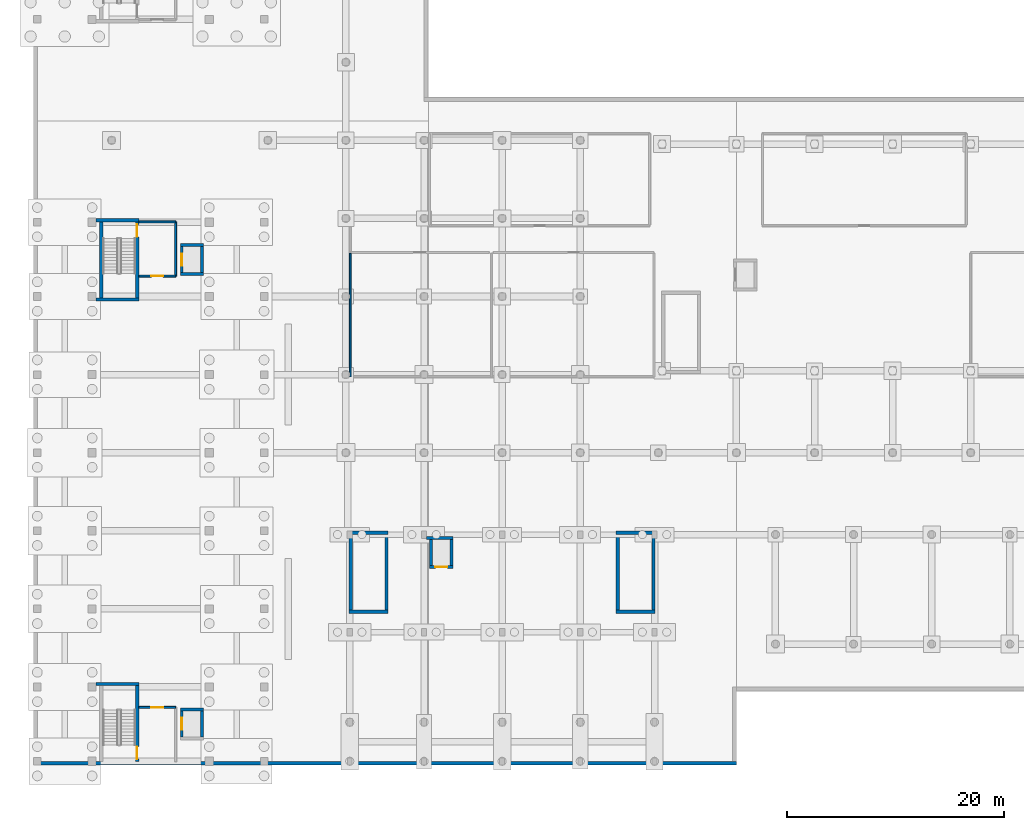
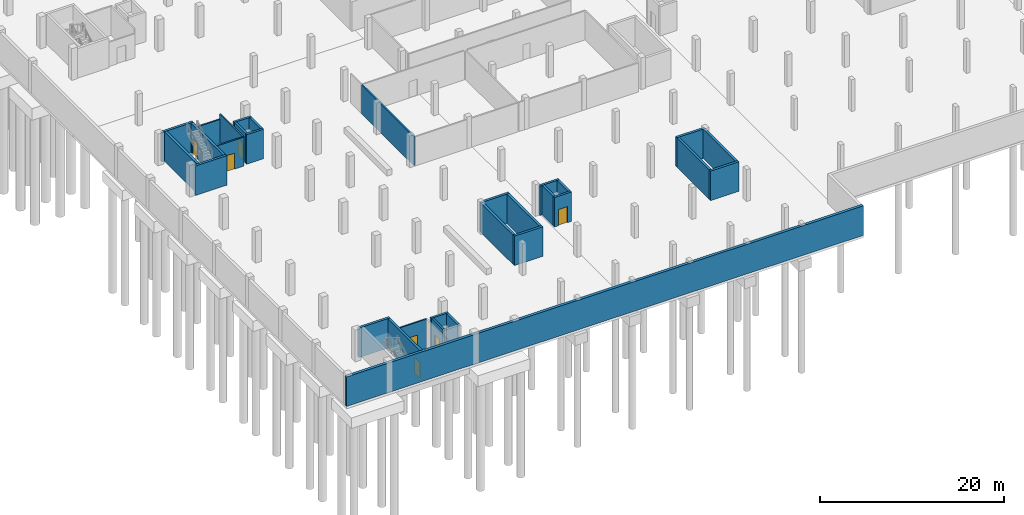
# One storey, part 17 of 36: 31 walls, 7 doors, 7 openings.
"""IFC4 building model written with IfcOpenShell, lengths in metres."""

from ifc_helpers import new_model, si_unit, derived_unit, direction, frame, frame_2d, origin, place, context, subcontext, project, spatial, rectangle, extrude, material, layer, layer_set, type_object, element, fill, save


model = new_model("IFC4")

# Units and contexts
model_context = context("Model", 3, precision=1e-05, world=origin(), true_north=direction((0.0, 1.0)))
body_context = subcontext(model_context, "Body", "Model", "MODEL_VIEW")
ifc_project = project(units=[si_unit("LENGTHUNIT", "METRE"), si_unit("AREAUNIT", "SQUARE_METRE"), si_unit("VOLUMEUNIT", "CUBIC_METRE"), si_unit("PLANEANGLEUNIT", "RADIAN"), si_unit("MASSUNIT", "GRAM", prefix="KILO"), derived_unit("THERMALTRANSMITTANCEUNIT", [(si_unit("MASSUNIT", "GRAM", prefix="KILO"), 1), (si_unit("TIMEUNIT", "SECOND"), -3), (si_unit("THERMODYNAMICTEMPERATUREUNIT", "KELVIN"), -1)])], contexts=[model_context])

# Site, building, storey
site_placement = place(None, origin())
site = spatial("IfcSite", under=ifc_project, at=site_placement, CompositionType="ELEMENT")
building_placement = place(site_placement, origin())
building = spatial("IfcBuilding", under=site, at=building_placement, Name="Ochrekiln Boulevard Commons", CompositionType="ELEMENT")
storey_placement = place(building_placement, frame((0.0, 0.0, -4.199951171875)))
storey = spatial("IfcBuildingStorey", under=building, at=storey_placement, Name="B1", CompositionType="ELEMENT", Elevation=-4.199951171875)

# Wall
ifc_material_1 = material(Name="Concrete C35/45", Category="concrete")
ifc_layer_1 = layer(ifc_material_1, 0.35009765625)
ifc_layer_set_1 = layer_set([ifc_layer_1], Name="Concrete C35/45")
wall_type_1 = type_object("IfcWallType", Name="WL-B1-RET-350", PredefinedType="SOLIDWALL", material=ifc_layer_set_1)
wall_1_placement = place(storey_placement, frame((0.0, 0.175048828125, 0.0), z_axis=(0.0, 0.0, 1.0), x_axis=(1.0, 0.0, 0.0)))
element("IfcWall", 1, at=wall_1_placement, inside=storey, type_object=wall_type_1, Name="B1 Perimeter Retaining Wall B1-SW", PredefinedType="SOLIDWALL", context=body_context, shape_type="SweptSolid", body=[
    extrude(rectangle(XDim=64.800048828125, YDim=0.35009765625, at=frame_2d((32.39990234375, 0.0))), origin(), (0.0, 0.0, 1.0), 3.919921875),
])

# Wall, opening, door
ifc_material_2 = material(Name="Fire-rated Type X gypsum board on steel studs", Category="steel")
ifc_layer_2 = layer(ifc_material_2, 0.169921875)
ifc_layer_set_2 = layer_set([ifc_layer_2], Name="Fire-rated Type X gypsum board on steel studs")
wall_type_2 = type_object("IfcWallType", Name="WL-PT-CIV-170", PredefinedType="PARTITIONING", material=ifc_layer_set_2)
wall_2_placement = place(storey_placement, frame((9.699951171875, 5.320068359375, 0.0), z_axis=(0.0, 0.0, 1.0), x_axis=(1.0, 0.0, 0.0)))
wall_2 = element("IfcWall", 2, at=wall_2_placement, inside=storey, type_object=wall_type_2, Name="B1 Interior Wall W-PV170", PredefinedType="PARTITIONING", context=body_context, shape_type="SweptSolid", body=[
    extrude(rectangle(XDim=3.400146484375, YDim=0.169921875, at=frame_2d((1.7001953125, 0.0))), origin(), (0.0, 0.0, 1.0), 3.83984375),
])
opening_1_placement = place(wall_2_placement, frame((1.14990234375, 0.0, 0.0)))
opening_1 = element("IfcOpeningElement", 3, at=opening_1_placement, cuts=wall_2, Name="Opening D-B1-1388", PredefinedType="OPENING", context=body_context, shape_type="SweptSolid", body=[
    extrude(rectangle(XDim=1.10009765625, YDim=2.1201171875, at=frame_2d((0.550048828125, 1.06005859375))), frame((0.0, 0.094970703125, 0.0), z_axis=(0.0, -1.0, 0.0), x_axis=(1.0, 0.0, 0.0)), (0.0, 0.0, 1.0), 0.18994140625),
])
ifc_material_3 = material(Name="Hollow metal fire-rated steel door assembly", Category="steel")
door_type_1 = type_object("IfcDoorType", Name="DR-LOBBY-60", OperationType="NOTDEFINED", PredefinedType="DOOR", material=ifc_material_3)
door_1_placement = place(opening_1_placement, frame((1.10009765625, 0.0, 0.0), z_axis=(0.0, 0.0, 1.0), x_axis=(-1.0, 0.0, 0.0)))
door_1 = element("IfcDoor", 4, at=door_1_placement, inside=storey, type_object=door_type_1, Name="B1 Interior Door to Basement Elevator Lobby", OperationType="SINGLE_SWING_RIGHT", OverallHeight=2.1201171875, OverallWidth=1.10009765625, PredefinedType="DOOR", context=body_context, shape_type="SweptSolid", body=[
    extrude(rectangle(XDim=1.10009765625, YDim=2.1201171875, at=frame_2d((0.550048828125, 1.06005859375))), frame((0.0, 0.02490234375, 0.0), z_axis=(0.0, -1.0, 0.0), x_axis=(1.0, 0.0, 0.0)), (0.0, 0.0, 1.0), 0.050048828125),
])
fill(opening_1, door_1)

wall_3_placement = place(storey_placement, frame((9.699951171875, 45.080078125, 0.0), z_axis=(0.0, 0.0, 1.0), x_axis=(1.0, 0.0, 0.0)))
wall_3 = element("IfcWall", 5, at=wall_3_placement, inside=storey, type_object=wall_type_2, Name="B1 Interior Wall W-PV170", PredefinedType="PARTITIONING", context=body_context, shape_type="SweptSolid", body=[
    extrude(rectangle(XDim=3.400146484375, YDim=0.169921875, at=frame_2d((1.7001953125, 0.0))), origin(), (0.0, 0.0, 1.0), 3.83984375),
])
opening_2_placement = place(wall_3_placement, frame((1.14990234375, 0.0, 0.0)))
opening_2 = element("IfcOpeningElement", 6, at=opening_2_placement, cuts=wall_3, Name="Opening D-B1-1389", PredefinedType="OPENING", context=body_context, shape_type="SweptSolid", body=[
    extrude(rectangle(XDim=1.10009765625, YDim=2.1201171875, at=frame_2d((0.550048828125, 1.06005859375))), frame((0.0, 0.094970703125, 0.0), z_axis=(0.0, -1.0, 0.0), x_axis=(1.0, 0.0, 0.0)), (0.0, 0.0, 1.0), 0.18994140625),
])
door_2_placement = place(opening_2_placement, origin())
door_2 = element("IfcDoor", 7, at=door_2_placement, inside=storey, type_object=door_type_1, Name="B1 Interior Door to Basement Elevator Lobby", OperationType="SINGLE_SWING_LEFT", OverallHeight=2.1201171875, OverallWidth=1.10009765625, PredefinedType="DOOR", context=body_context, shape_type="SweptSolid", body=[
    extrude(rectangle(XDim=1.10009765625, YDim=2.1201171875, at=frame_2d((0.550048828125, 1.06005859375))), frame((0.0, 0.02490234375, 0.0), z_axis=(0.0, -1.0, 0.0), x_axis=(1.0, 0.0, 0.0)), (0.0, 0.0, 1.0), 0.050048828125),
])
fill(opening_2, door_2)

# Walls
wall_4_placement = place(storey_placement, frame((9.699951171875, 50.080078125, 0.0), z_axis=(0.0, 0.0, 1.0), x_axis=(1.0, 0.0, 0.0)))
element("IfcWall", 8, at=wall_4_placement, inside=storey, type_object=wall_type_2, Name="B1 Interior Wall W-PV170", PredefinedType="PARTITIONING", context=body_context, shape_type="SweptSolid", body=[
    extrude(rectangle(XDim=3.400146484375, YDim=0.169921875, at=frame_2d((1.7001953125, 0.0))), origin(), (0.0, 0.0, 1.0), 3.18994140625),
])
wall_5_placement = place(storey_placement, frame((13.10009765625, 45.080078125, 0.0), z_axis=(0.0, 0.0, 1.0), x_axis=(0.0, 1.0, 0.0)))
element("IfcWall", 9, at=wall_5_placement, inside=storey, type_object=wall_type_2, Name="B1 Interior Wall W-PV170", PredefinedType="PARTITIONING", context=body_context, shape_type="SweptSolid", body=[
    extrude(rectangle(XDim=5.0, YDim=0.169921875, at=frame_2d((2.5, 0.0))), origin(), (0.0, 0.0, 1.0), 3.83984375),
])
wall_6_placement = place(storey_placement, frame((29.199951171875, 35.800048828125, 0.0), z_axis=(0.0, 0.0, 1.0), x_axis=(0.0, 1.0, 0.0)))
element("IfcWall", 10, at=wall_6_placement, inside=storey, type_object=wall_type_2, Name="B1 Interior Wall W-PV170", PredefinedType="PARTITIONING", context=body_context, shape_type="SweptSolid", body=[
    extrude(rectangle(XDim=11.366943359375, YDim=0.169921875, at=frame_2d((5.68359375, 0.0))), origin(), (0.0, 0.0, 1.0), 3.83984375),
])
ifc_material_4 = material(Name="Concrete C40/50", Category="concrete")
ifc_layer_3 = layer(ifc_material_4, 0.27490234375)
ifc_layer_set_3 = layer_set([ifc_layer_3], Name="Concrete C40/50")
wall_type_3 = type_object("IfcWallType", Name="WL-SH-275", PredefinedType="SHEAR", material=ifc_layer_set_3)
wall_7_placement = place(storey_placement, frame((13.52490234375, 5.137451171875, 0.0), z_axis=(0.0, 0.0, 1.0), x_axis=(1.0, 0.0, 0.0)))
element("IfcWall", 11, at=wall_7_placement, inside=storey, type_object=wall_type_3, Name="Elevator LP-D1 B1 Hoistway Shear Wall", PredefinedType="SHEAR", context=body_context, shape_type="SweptSolid", body=[
    extrude(rectangle(XDim=2.150146484375, YDim=0.27490234375, at=frame_2d((1.0751953125, 0.0))), origin(), (0.0, 0.0, 1.0), 3.919921875),
])

# Wall, opening, door
wall_8_placement = place(storey_placement, frame((13.66259765625, 2.60009765625, 0.0), z_axis=(0.0, 0.0, 1.0), x_axis=(0.0, 1.0, 0.0)))
wall_8 = element("IfcWall", 12, at=wall_8_placement, inside=storey, type_object=wall_type_3, Name="Elevator LP-D1 B1 Hoistway Shear Wall", PredefinedType="SHEAR", context=body_context, shape_type="SweptSolid", body=[
    extrude(rectangle(XDim=2.39990234375, YDim=0.27490234375, at=frame_2d((1.199951171875, 0.0))), origin(), (0.0, 0.0, 1.0), 3.919921875),
])
opening_3_placement = place(wall_8_placement, frame((0.64990234375, 0.0, 0.0)))
opening_3 = element("IfcOpeningElement", 13, at=opening_3_placement, cuts=wall_8, Name="Opening LD-LP-D1-B1", PredefinedType="OPENING", context=body_context, shape_type="SweptSolid", body=[
    extrude(rectangle(XDim=1.10009765625, YDim=2.14990234375, at=frame_2d((0.550048828125, 1.074951171875))), frame((0.0, 0.1474609375, 0.0), z_axis=(0.0, -1.0, 0.0), x_axis=(1.0, 0.0, 0.0)), (0.0, 0.0, 1.0), 0.294921875),
])
ifc_material_5 = material(Name="Brushed stainless steel 316 elevator cab and doors", Category="steel")
door_type_2 = type_object("IfcDoorType", Name="DR-LIFT-LD90", OperationType="SLIDING_TO_LEFT", PredefinedType="DOOR", material=ifc_material_5)
door_3_placement = place(opening_3_placement, origin())
door_3 = element("IfcDoor", 14, at=door_3_placement, inside=storey, type_object=door_type_2, Name="Elevator LP-D1 B1 Sliding Landing Door LD-LP-D1-B1", OperationType="SLIDING_TO_LEFT", OverallHeight=2.14990234375, OverallWidth=1.10009765625, PredefinedType="DOOR", context=body_context, shape_type="SweptSolid", body=[
    extrude(rectangle(XDim=1.10009765625, YDim=2.14990234375, at=frame_2d((0.550048828125, 1.074951171875))), frame((0.0, 0.02490234375, 0.0), z_axis=(0.0, -1.0, 0.0), x_axis=(1.0, 0.0, 0.0)), (0.0, 0.0, 1.0), 0.050048828125),
])
fill(opening_3, door_3)

# Walls
wall_9_placement = place(storey_placement, frame((15.53759765625, 2.60009765625, 0.0), z_axis=(0.0, 0.0, 1.0), x_axis=(0.0, 1.0, 0.0)))
element("IfcWall", 15, at=wall_9_placement, inside=storey, type_object=wall_type_3, Name="Elevator LP-D1 B1 Hoistway Shear Wall", PredefinedType="SHEAR", context=body_context, shape_type="SweptSolid", body=[
    extrude(rectangle(XDim=2.39990234375, YDim=0.27490234375, at=frame_2d((1.199951171875, 0.0))), origin(), (0.0, 0.0, 1.0), 3.919921875),
])
for number, where, z_axis, x_axis, name in (
    (16, (13.52490234375, 45.262451171875, 0.0), (0.0, 0.0, 1.0), (1.0, 0.0, 0.0), "Elevator LP-D2 B1 Hoistway Shear Wall"),
    (17, (13.52490234375, 47.9375, 0.0), (0.0, 0.0, 1.0), (1.0, 0.0, 0.0), "Elevator LP-D2 B1 Hoistway Shear Wall"),
):
    element("IfcWall", number, at=place(storey_placement, frame(where, z_axis=z_axis, x_axis=x_axis)), inside=storey, type_object=wall_type_3, Name=name, PredefinedType="SHEAR", context=body_context, shape_type="SweptSolid", body=[
        extrude(rectangle(XDim=2.150146484375, YDim=0.27490234375, at=frame_2d((1.0751953125, 0.0))), origin(), (0.0, 0.0, 1.0), 3.919921875),
    ])

# Wall, opening, door
wall_10_placement = place(storey_placement, frame((13.66259765625, 45.39990234375, 0.0), z_axis=(0.0, 0.0, 1.0), x_axis=(0.0, 1.0, 0.0)))
wall_10 = element("IfcWall", 18, at=wall_10_placement, inside=storey, type_object=wall_type_3, Name="Elevator LP-D2 B1 Hoistway Shear Wall", PredefinedType="SHEAR", context=body_context, shape_type="SweptSolid", body=[
    extrude(rectangle(XDim=2.400146484375, YDim=0.27490234375, at=frame_2d((1.2001953125, 0.0))), origin(), (0.0, 0.0, 1.0), 3.919921875),
])
opening_4_placement = place(wall_10_placement, frame((0.64990234375, 0.0, 0.0)))
opening_4 = element("IfcOpeningElement", 19, at=opening_4_placement, cuts=wall_10, Name="Opening LD-LP-D2-B1", PredefinedType="OPENING", context=body_context, shape_type="SweptSolid", body=[
    extrude(rectangle(XDim=1.10009765625, YDim=2.14990234375, at=frame_2d((0.550048828125, 1.074951171875))), frame((0.0, 0.1474609375, 0.0), z_axis=(0.0, -1.0, 0.0), x_axis=(1.0, 0.0, 0.0)), (0.0, 0.0, 1.0), 0.294921875),
])
door_4_placement = place(opening_4_placement, origin())
door_4 = element("IfcDoor", 20, at=door_4_placement, inside=storey, type_object=door_type_2, Name="Elevator LP-D2 B1 Sliding Landing Door LD-LP-D2-B1", OperationType="SLIDING_TO_LEFT", OverallHeight=2.14990234375, OverallWidth=1.10009765625, PredefinedType="DOOR", context=body_context, shape_type="SweptSolid", body=[
    extrude(rectangle(XDim=1.10009765625, YDim=2.14990234375, at=frame_2d((0.550048828125, 1.074951171875))), frame((0.0, 0.02490234375, 0.0), z_axis=(0.0, -1.0, 0.0), x_axis=(1.0, 0.0, 0.0)), (0.0, 0.0, 1.0), 0.050048828125),
])
fill(opening_4, door_4)

# Wall
wall_11_placement = place(storey_placement, frame((15.53759765625, 45.39990234375, 0.0), z_axis=(0.0, 0.0, 1.0), x_axis=(0.0, 1.0, 0.0)))
element("IfcWall", 21, at=wall_11_placement, inside=storey, type_object=wall_type_3, Name="Elevator LP-D2 B1 Hoistway Shear Wall", PredefinedType="SHEAR", context=body_context, shape_type="SweptSolid", body=[
    extrude(rectangle(XDim=2.400146484375, YDim=0.27490234375, at=frame_2d((1.2001953125, 0.0))), origin(), (0.0, 0.0, 1.0), 3.919921875),
])

# Wall, opening, door
wall_12_placement = place(storey_placement, frame((36.52490234375, 18.262451171875, 0.0), z_axis=(0.0, 0.0, 1.0), x_axis=(1.0, 0.0, 0.0)))
wall_12 = element("IfcWall", 22, at=wall_12_placement, inside=storey, type_object=wall_type_3, Name="Elevator LP-S1 B1 Hoistway Shear Wall", PredefinedType="SHEAR", context=body_context, shape_type="SweptSolid", body=[
    extrude(rectangle(XDim=2.150146484375, YDim=0.27490234375, at=frame_2d((1.0751953125, 0.0))), origin(), (0.0, 0.0, 1.0), 3.909912109375),
])
opening_5_placement = place(wall_12_placement, frame((0.52490234375, 0.0, 0.0)))
opening_5 = element("IfcOpeningElement", 23, at=opening_5_placement, cuts=wall_12, Name="Opening LD-LP-S1-B1", PredefinedType="OPENING", context=body_context, shape_type="SweptSolid", body=[
    extrude(rectangle(XDim=1.10009765625, YDim=2.14990234375, at=frame_2d((0.550048828125, 1.074951171875))), frame((0.0, 0.1474609375, 0.0), z_axis=(0.0, -1.0, 0.0), x_axis=(1.0, 0.0, 0.0)), (0.0, 0.0, 1.0), 0.294921875),
])
door_5_placement = place(opening_5_placement, origin())
door_5 = element("IfcDoor", 24, at=door_5_placement, inside=storey, type_object=door_type_2, Name="Elevator LP-S1 B1 Sliding Landing Door LD-LP-S1-B1", OperationType="SLIDING_TO_LEFT", OverallHeight=2.14990234375, OverallWidth=1.10009765625, PredefinedType="DOOR", context=body_context, shape_type="SweptSolid", body=[
    extrude(rectangle(XDim=1.10009765625, YDim=2.14990234375, at=frame_2d((0.550048828125, 1.074951171875))), frame((0.0, 0.02490234375, 0.0), z_axis=(0.0, -1.0, 0.0), x_axis=(1.0, 0.0, 0.0)), (0.0, 0.0, 1.0), 0.050048828125),
])
fill(opening_5, door_5)

# Walls
wall_13_placement = place(storey_placement, frame((36.25, 20.9375, 0.0), z_axis=(0.0, 0.0, 1.0), x_axis=(1.0, 0.0, 0.0)))
element("IfcWall", 25, at=wall_13_placement, inside=storey, type_object=wall_type_3, Name="Elevator LP-S1 B1 Hoistway Shear Wall", PredefinedType="SHEAR", context=body_context, shape_type="SweptSolid", body=[
    extrude(rectangle(XDim=2.425048828125, YDim=0.27490234375, at=frame_2d((1.21240234375, 0.0))), origin(), (0.0, 0.0, 1.0), 3.909912109375),
])
for number, where, z_axis, x_axis, name in (
    (26, (36.66259765625, 18.39990234375, 0.0), (0.0, 0.0, 1.0), (0.0, 1.0, 0.0), "Elevator LP-S1 B1 Hoistway Shear Wall"),
    (27, (38.53759765625, 18.39990234375, 0.0), (0.0, 0.0, 1.0), (0.0, 1.0, 0.0), "Elevator LP-S1 B1 Hoistway Shear Wall"),
):
    element("IfcWall", number, at=place(storey_placement, frame(where, z_axis=z_axis, x_axis=x_axis)), inside=storey, type_object=wall_type_3, Name=name, PredefinedType="SHEAR", context=body_context, shape_type="SweptSolid", body=[
        extrude(rectangle(XDim=2.400146484375, YDim=0.27490234375, at=frame_2d((1.2001953125, 0.0))), origin(), (0.0, 0.0, 1.0), 3.909912109375),
    ])
ifc_layer_4 = layer(ifc_material_4, 0.300048828125)
ifc_layer_set_4 = layer_set([ifc_layer_4], Name="Concrete C40/50")
wall_type_4 = type_object("IfcWallType", Name="WL-SH-300", PredefinedType="SHEAR", material=ifc_layer_set_4)
wall_14_placement = place(storey_placement, frame((5.77490234375, 7.469970703125, 0.0), z_axis=(0.0, 0.0, 1.0), x_axis=(1.0, 0.0, 0.0)))
element("IfcWall", 28, at=wall_14_placement, inside=storey, type_object=wall_type_4, Name="Stair ST-D1 B1 Core Shear Wall N", PredefinedType="SHEAR", context=body_context, shape_type="SweptSolid", body=[
    extrude(rectangle(XDim=3.925048828125, YDim=0.300048828125, at=frame_2d((1.96240234375, 0.0))), origin(), (0.0, 0.0, 1.0), 3.919921875),
])

# Wall, opening, door
wall_15_placement = place(storey_placement, frame((9.550048828125, 0.320068359375, 0.0), z_axis=(0.0, 0.0, 1.0), x_axis=(0.0, 1.0, 0.0)))
wall_15 = element("IfcWall", 29, at=wall_15_placement, inside=storey, type_object=wall_type_4, Name="Stair ST-D1 B1 Core Shear Wall E", PredefinedType="SHEAR", context=body_context, shape_type="SweptSolid", body=[
    extrude(rectangle(XDim=7.0, YDim=0.300048828125, at=frame_2d((3.5, 0.0))), origin(), (0.0, 0.0, 1.0), 3.919921875),
])
opening_6_placement = place(wall_15_placement, frame((0.22509765625, 0.0, 0.0)))
opening_6 = element("IfcOpeningElement", 30, at=opening_6_placement, cuts=wall_15, Name="Opening D-B1-ST-D1", PredefinedType="OPENING", context=body_context, shape_type="SweptSolid", body=[
    extrude(rectangle(XDim=1.14990234375, YDim=2.1201171875, at=frame_2d((0.574951171875, 1.06005859375))), frame((0.0, 0.159912109375, 0.0), z_axis=(0.0, -1.0, 0.0), x_axis=(1.0, 0.0, 0.0)), (0.0, 0.0, 1.0), 0.320068359375),
])
door_type_3 = type_object("IfcDoorType", Name="DR-STAIR-90", OperationType="NOTDEFINED", PredefinedType="DOOR", material=ifc_material_3)
door_6_placement = place(opening_6_placement, origin())
door_6 = element("IfcDoor", 31, at=door_6_placement, inside=storey, type_object=door_type_3, Name="Enclosed Exit Stair ST-D1 B1 Rated Door", OperationType="SINGLE_SWING_LEFT", OverallHeight=2.1201171875, OverallWidth=1.14990234375, PredefinedType="DOOR", context=body_context, shape_type="SweptSolid", body=[
    extrude(rectangle(XDim=1.14990234375, YDim=2.1201171875, at=frame_2d((0.574951171875, 1.06005859375))), frame((0.0, 0.02490234375, 0.0), z_axis=(0.0, -1.0, 0.0), x_axis=(1.0, 0.0, 0.0)), (0.0, 0.0, 1.0), 0.050048828125),
])
fill(opening_6, door_6)

# Walls
for number, where, z_axis, x_axis, name in (
    (32, (5.77490234375, 42.929931640625, 0.0), (0.0, 0.0, 1.0), (1.0, 0.0, 0.0), "Stair ST-D2 B1 Core Shear Wall S"),
    (33, (5.77490234375, 50.22998046875, 0.0), (0.0, 0.0, 1.0), (1.0, 0.0, 0.0), "Stair ST-D2 B1 Core Shear Wall N"),
):
    element("IfcWall", number, at=place(storey_placement, frame(where, z_axis=z_axis, x_axis=x_axis)), inside=storey, type_object=wall_type_4, Name=name, PredefinedType="SHEAR", context=body_context, shape_type="SweptSolid", body=[
        extrude(rectangle(XDim=3.925048828125, YDim=0.300048828125, at=frame_2d((1.96240234375, 0.0))), origin(), (0.0, 0.0, 1.0), 3.919921875),
    ])
wall_16_placement = place(storey_placement, frame((6.25, 43.080078125, 0.0), z_axis=(0.0, 0.0, 1.0), x_axis=(0.0, 1.0, 0.0)))
element("IfcWall", 34, at=wall_16_placement, inside=storey, type_object=wall_type_4, Name="Stair ST-D2 B1 Core Shear Wall W", PredefinedType="SHEAR", context=body_context, shape_type="SweptSolid", body=[
    extrude(rectangle(XDim=7.0, YDim=0.300048828125, at=frame_2d((3.5, 0.0))), origin(), (0.0, 0.0, 1.0), 3.919921875),
])

# Wall, opening, door
wall_17_placement = place(storey_placement, frame((9.550048828125, 43.080078125, 0.0), z_axis=(0.0, 0.0, 1.0), x_axis=(0.0, 1.0, 0.0)))
wall_17 = element("IfcWall", 35, at=wall_17_placement, inside=storey, type_object=wall_type_4, Name="Stair ST-D2 B1 Core Shear Wall E", PredefinedType="SHEAR", context=body_context, shape_type="SweptSolid", body=[
    extrude(rectangle(XDim=7.0, YDim=0.300048828125, at=frame_2d((3.5, 0.0))), origin(), (0.0, 0.0, 1.0), 3.919921875),
])
opening_7_placement = place(wall_17_placement, frame((5.625, 0.0, 0.0)))
opening_7 = element("IfcOpeningElement", 36, at=opening_7_placement, cuts=wall_17, Name="Opening D-B1-ST-D2", PredefinedType="OPENING", context=body_context, shape_type="SweptSolid", body=[
    extrude(rectangle(XDim=1.14990234375, YDim=2.1201171875, at=frame_2d((0.574951171875, 1.06005859375))), frame((0.0, 0.159912109375, 0.0), z_axis=(0.0, -1.0, 0.0), x_axis=(1.0, 0.0, 0.0)), (0.0, 0.0, 1.0), 0.320068359375),
])
door_7_placement = place(opening_7_placement, origin())
door_7 = element("IfcDoor", 37, at=door_7_placement, inside=storey, type_object=door_type_3, Name="Enclosed Exit Stair ST-D2 B1 Rated Door", OperationType="SINGLE_SWING_LEFT", OverallHeight=2.1201171875, OverallWidth=1.14990234375, PredefinedType="DOOR", context=body_context, shape_type="SweptSolid", body=[
    extrude(rectangle(XDim=1.14990234375, YDim=2.1201171875, at=frame_2d((0.574951171875, 1.06005859375))), frame((0.0, 0.02490234375, 0.0), z_axis=(0.0, -1.0, 0.0), x_axis=(1.0, 0.0, 0.0)), (0.0, 0.0, 1.0), 0.050048828125),
])
fill(opening_7, door_7)

# Walls
for number, where, z_axis, x_axis, name in (
    (38, (29.10009765625, 14.1298828125, 0.0), (0.0, 0.0, 1.0), (1.0, 0.0, 0.0), "Stair ST-W1 B1 Core Shear Wall S"),
    (39, (29.10009765625, 21.429931640625, 0.0), (0.0, 0.0, 1.0), (1.0, 0.0, 0.0), "Stair ST-W1 B1 Core Shear Wall N"),
):
    element("IfcWall", number, at=place(storey_placement, frame(where, z_axis=z_axis, x_axis=x_axis)), inside=storey, type_object=wall_type_4, Name=name, PredefinedType="SHEAR", context=body_context, shape_type="SweptSolid", body=[
        extrude(rectangle(XDim=3.599853515625, YDim=0.300048828125, at=frame_2d((1.7998046875, 0.0))), origin(), (0.0, 0.0, 1.0), 3.909912109375),
    ])
for number, where, z_axis, x_axis, name in (
    (40, (29.25, 14.280029296875, 0.0), (0.0, 0.0, 1.0), (0.0, 1.0, 0.0), "Stair ST-W1 B1 Core Shear Wall W"),
    (41, (32.550048828125, 14.280029296875, 0.0), (0.0, 0.0, 1.0), (0.0, 1.0, 0.0), "Stair ST-W1 B1 Core Shear Wall E"),
):
    element("IfcWall", number, at=place(storey_placement, frame(where, z_axis=z_axis, x_axis=x_axis)), inside=storey, type_object=wall_type_4, Name=name, PredefinedType="SHEAR", context=body_context, shape_type="SweptSolid", body=[
        extrude(rectangle(XDim=7.0, YDim=0.300048828125, at=frame_2d((3.5, 0.0))), origin(), (0.0, 0.0, 1.0), 3.909912109375),
    ])
for number, where, z_axis, x_axis, name in (
    (42, (53.699951171875, 14.1298828125, 0.0), (0.0, 0.0, 1.0), (1.0, 0.0, 0.0), "Stair ST-W2 B1 Core Shear Wall S"),
    (43, (53.699951171875, 21.429931640625, 0.0), (0.0, 0.0, 1.0), (1.0, 0.0, 0.0), "Stair ST-W2 B1 Core Shear Wall N"),
):
    element("IfcWall", number, at=place(storey_placement, frame(where, z_axis=z_axis, x_axis=x_axis)), inside=storey, type_object=wall_type_4, Name=name, PredefinedType="SHEAR", context=body_context, shape_type="SweptSolid", body=[
        extrude(rectangle(XDim=3.60009765625, YDim=0.300048828125, at=frame_2d((1.800048828125, 0.0))), origin(), (0.0, 0.0, 1.0), 3.909912109375),
    ])
for number, where, z_axis, x_axis, name in (
    (44, (53.85009765625, 14.280029296875, 0.0), (0.0, 0.0, 1.0), (0.0, 1.0, 0.0), "Stair ST-W2 B1 Core Shear Wall W"),
    (45, (57.14990234375, 14.280029296875, 0.0), (0.0, 0.0, 1.0), (0.0, 1.0, 0.0), "Stair ST-W2 B1 Core Shear Wall E"),
):
    element("IfcWall", number, at=place(storey_placement, frame(where, z_axis=z_axis, x_axis=x_axis)), inside=storey, type_object=wall_type_4, Name=name, PredefinedType="SHEAR", context=body_context, shape_type="SweptSolid", body=[
        extrude(rectangle(XDim=7.0, YDim=0.300048828125, at=frame_2d((3.5, 0.0))), origin(), (0.0, 0.0, 1.0), 3.909912109375),
    ])

save(model, "model.ifc")
